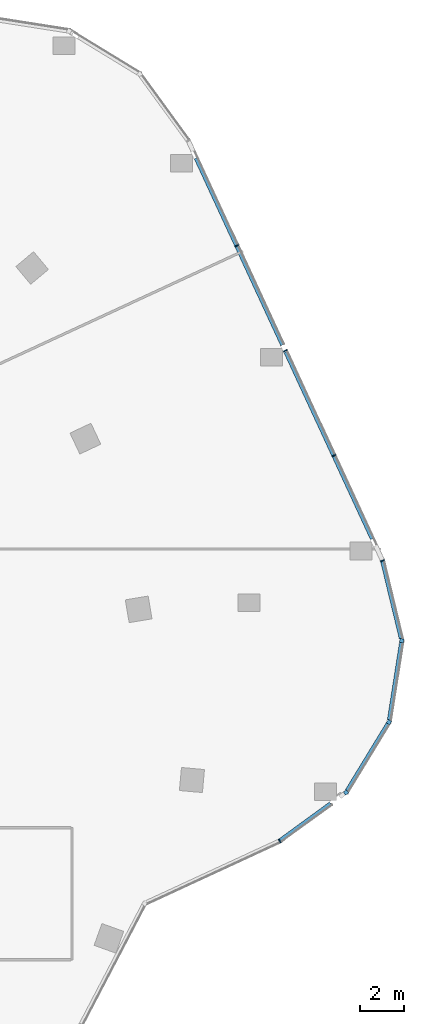
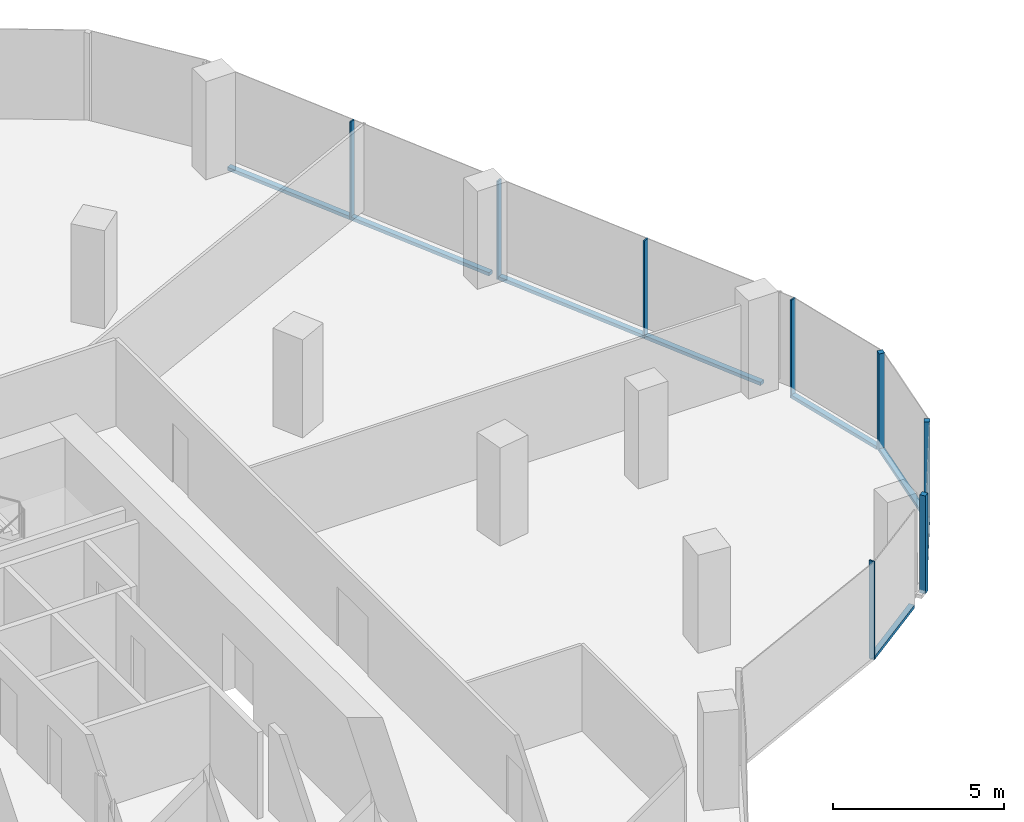
# One storey, part 9 of 23: 14 members, 6 elements without a shape of their own.
"""IFC4 building model written with IfcOpenShell, lengths in metres."""

from ifc_helpers import new_model, si_unit, direction, frame, origin, origin_2d, place, context, subcontext, project, spatial, rectangle, extrude, material, material_profile, profile_set, type_object, element, aggregate, save


model = new_model("IFC4")

# Units and contexts
model_context = context("Model", 3, precision=1e-05, world=origin(), true_north=direction((0.0, 1.0)))
body_context = subcontext(model_context, "Body", "Model", "MODEL_VIEW")
ifc_project = project(units=[si_unit("LENGTHUNIT", "METRE"), si_unit("AREAUNIT", "SQUARE_METRE"), si_unit("VOLUMEUNIT", "CUBIC_METRE"), si_unit("PLANEANGLEUNIT", "RADIAN"), si_unit("MASSUNIT", "GRAM", prefix="KILO")], contexts=[model_context])

# Site, building, storey
site_placement = place(None, origin())
site = spatial("IfcSite", under=ifc_project, at=site_placement, CompositionType="ELEMENT")
building_placement = place(site_placement, origin())
building = spatial("IfcBuilding", under=site, at=building_placement, Name="Orlundy Tower", CompositionType="ELEMENT")
storey_placement = place(building_placement, frame((0.0, 0.0, 264.0)))
storey = spatial("IfcBuildingStorey", under=building, at=storey_placement, Name="L70", CompositionType="ELEMENT", Elevation=264.0)

# Curtain wall, member
ifc_material_1 = material(Name="Aluminium bronze anodised", Category="aluminium")
curtain_wall_type = type_object("IfcCurtainWallType", Name="CW1 wall", PredefinedType="NOTDEFINED", material=ifc_material_1)
curtain_wall_1_placement = place(storey_placement, origin())
curtain_wall_1 = element("IfcCurtainWall", 1, at=curtain_wall_1_placement, inside=storey, type_object=curtain_wall_type, Name="CW1 run 17", PredefinedType="NOTDEFINED")
ifc_material_2 = material(Name="Aluminium bronze anodised", Category="aluminium")
ifc_material_profile_1 = material_profile(ifc_material_2, rectangle(XDim=0.179931640625, YDim=0.179931640625, at=origin_2d()), Name="CW1 corner post 180x180")
ifc_profile_set_1 = profile_set([ifc_material_profile_1], Name="Aluminium bronze anodised")
member_type_1 = type_object("IfcMemberType", Name="CW1 corner post 180x180", PredefinedType="MULLION", material=ifc_profile_set_1)
member_1_placement = place(storey_placement, frame((41.2197265625, 3.460693359375, -0.39990234375), z_axis=(0.0, 0.0, 1.0), x_axis=(0.987896030416, -0.15511748157, 0.0)))
member_1 = element("IfcMember", 2, at=member_1_placement, type_object=member_type_1, Name="CW1 mullion 12", PredefinedType="MULLION", context=body_context, shape_type="SweptSolid", body=[
    extrude(rectangle(XDim=0.179931640625, YDim=0.179931640625, at=origin_2d()), origin(), (0.0, 0.0, 1.0), 3.5),
])

curtain_wall_2_placement = place(storey_placement, origin())
curtain_wall_2 = element("IfcCurtainWall", 3, at=curtain_wall_2_placement, inside=storey, type_object=curtain_wall_type, Name="CW1 run 18", PredefinedType="NOTDEFINED")
member_2_placement = place(storey_placement, frame((40.63916015625, -0.236572265625, -0.39990234375), z_axis=(0.0, 0.0, 1.0), x_axis=(0.85339519248, -0.521264467859, 0.0)))
member_2 = element("IfcMember", 4, at=member_2_placement, type_object=member_type_1, Name="CW1 mullion 13", PredefinedType="MULLION", context=body_context, shape_type="SweptSolid", body=[
    extrude(rectangle(XDim=0.179931640625, YDim=0.179931640625, at=origin_2d()), origin(), (0.0, 0.0, 1.0), 3.5),
])

curtain_wall_3_placement = place(storey_placement, origin())
curtain_wall_3 = element("IfcCurtainWall", 5, at=curtain_wall_3_placement, inside=storey, type_object=curtain_wall_type, Name="CW1 run 19", PredefinedType="NOTDEFINED")
member_3_placement = place(storey_placement, frame((38.6884765625, -3.43017578125, -0.39990234375), z_axis=(0.0, 0.0, 1.0), x_axis=(0.58902167687, -0.808117234179, 0.0)))
member_3 = element("IfcMember", 6, at=member_3_placement, type_object=member_type_1, Name="CW1 mullion 14", PredefinedType="MULLION", context=body_context, shape_type="SweptSolid", body=[
    extrude(rectangle(XDim=0.179931640625, YDim=0.179931640625, at=origin_2d()), origin(), (0.0, 0.0, 1.0), 3.5),
])

# Curtain wall, members
curtain_wall_4_placement = place(storey_placement, origin())
curtain_wall_4 = element("IfcCurtainWall", 7, at=curtain_wall_4_placement, inside=storey, type_object=curtain_wall_type, Name="CW1 run 15", PredefinedType="NOTDEFINED")
ifc_material_3 = material(Name="Aluminium bronze anodised", Category="aluminium")
ifc_material_profile_2 = material_profile(ifc_material_3, rectangle(XDim=0.179931640625, YDim=0.050048828125, at=origin_2d()), Name="CW1 mullion 50x180")
ifc_profile_set_2 = profile_set([ifc_material_profile_2], Name="Aluminium bronze anodised")
member_type_2 = type_object("IfcMemberType", Name="CW1 mullion 50x180", PredefinedType="MULLION", material=ifc_profile_set_2)
member_4_placement = place(storey_placement, frame((33.724365234375, 21.391357421875, -0.39990234375), z_axis=(0.0, 0.0, 1.0), x_axis=(0.907542202358, 0.419960892154, 0.0)))
member_4 = element("IfcMember", 8, at=member_4_placement, type_object=member_type_2, Name="CW1 mullion 8", PredefinedType="MULLION", context=body_context, shape_type="SweptSolid", body=[
    extrude(rectangle(XDim=0.179931640625, YDim=0.050048828125, at=origin_2d()), origin(), (0.0, 0.0, 1.0), 3.5),
])
member_5_placement = place(storey_placement, frame((35.92919921875, 16.626708984375, -0.39990234375), z_axis=(0.0, 0.0, 1.0), x_axis=(0.907542202358, 0.419960892154, 0.0)))
member_5 = element("IfcMember", 9, at=member_5_placement, type_object=member_type_2, Name="CW1 mullion 9", PredefinedType="MULLION", context=body_context, shape_type="SweptSolid", body=[
    extrude(rectangle(XDim=0.179931640625, YDim=0.050048828125, at=origin_2d()), origin(), (0.0, 0.0, 1.0), 3.5),
])
member_6_placement = place(storey_placement, frame((38.134033203125, 11.8623046875, -0.39990234375), z_axis=(0.0, 0.0, 1.0), x_axis=(0.907542202358, 0.419960892154, 0.0)))
member_6 = element("IfcMember", 10, at=member_6_placement, type_object=member_type_2, Name="CW1 mullion 10", PredefinedType="MULLION", context=body_context, shape_type="SweptSolid", body=[
    extrude(rectangle(XDim=0.179931640625, YDim=0.050048828125, at=origin_2d()), origin(), (0.0, 0.0, 1.0), 3.5),
])

# Curtain wall, member
curtain_wall_5_placement = place(storey_placement, origin())
curtain_wall_5 = element("IfcCurtainWall", 11, at=curtain_wall_5_placement, inside=storey, type_object=curtain_wall_type, Name="CW1 run 16", PredefinedType="NOTDEFINED")
member_7_placement = place(storey_placement, frame((40.34228515625, 7.08984375, -0.39990234375), z_axis=(0.0, 0.0, 1.0), x_axis=(0.944312521745, 0.329049937357, 0.0)))
member_7 = element("IfcMember", 12, at=member_7_placement, type_object=member_type_2, Name="CW1 mullion 11", PredefinedType="MULLION", context=body_context, shape_type="SweptSolid", body=[
    extrude(rectangle(XDim=0.179931640625, YDim=0.050048828125, at=origin_2d()), origin(), (0.0, 0.0, 1.0), 3.5),
])

curtain_wall_6_placement = place(storey_placement, origin())
curtain_wall_6 = element("IfcCurtainWall", 13, at=curtain_wall_6_placement, inside=storey, type_object=curtain_wall_type, Name="CW1 run 110", PredefinedType="NOTDEFINED")
member_8_placement = place(storey_placement, frame((35.671875, -5.62890625, -0.39990234375), z_axis=(0.0, 0.0, 1.0), x_axis=(0.506927615096, -0.861988626986, 0.0)))
member_8 = element("IfcMember", 14, at=member_8_placement, type_object=member_type_2, Name="CW1 mullion 15", PredefinedType="MULLION", context=body_context, shape_type="SweptSolid", body=[
    extrude(rectangle(XDim=0.179931640625, YDim=0.050048828125, at=origin_2d()), origin(), (0.0, 0.0, 1.0), 3.5),
])
aggregate(curtain_wall_6, [member_8])

# Member
ifc_material_4 = material(Name="Aluminium bronze anodised", Category="aluminium")
ifc_material_profile_3 = material_profile(ifc_material_4, rectangle(XDim=0.179931640625, YDim=0.1201171875, at=origin_2d()), Name="CW1 transom 180x120")
ifc_profile_set_3 = profile_set([ifc_material_profile_3], Name="Aluminium bronze anodised")
member_type_3 = type_object("IfcMemberType", Name="CW1 transom 180x120", PredefinedType="USERDEFINED", material=ifc_profile_set_3)
member_9_placement = place(storey_placement, frame((31.87890625, 25.37939453125, -0.340087890625), z_axis=(0.419969586538, -0.907538179022, 0.0), x_axis=(0.907538179022, 0.419969586538, 0.0)))
member_9 = element("IfcMember", 15, at=member_9_placement, type_object=member_type_3, Name="CW1 transom", ObjectType="TRANSOM", PredefinedType="USERDEFINED", context=body_context, shape_type="SweptSolid", body=[
    extrude(rectangle(XDim=0.179931640625, YDim=0.1201171875, at=origin_2d()), origin(), (0.0, 0.0, 1.0), 9.357666015625),
])

member_10_placement = place(storey_placement, frame((35.952880859375, 16.575439453125, -0.340087890625), z_axis=(0.419966384997, -0.907539660551, 0.0), x_axis=(0.907539660551, 0.419966384997, 0.0)))
member_10 = element("IfcMember", 16, at=member_10_placement, type_object=member_type_3, Name="CW1 transom", ObjectType="TRANSOM", PredefinedType="USERDEFINED", context=body_context, shape_type="SweptSolid", body=[
    extrude(rectangle(XDim=0.179931640625, YDim=0.1201171875, at=origin_2d()), origin(), (0.0, 0.0, 1.0), 9.3564453125),
])

aggregate(curtain_wall_4, [member_4, member_5, member_6, member_9, member_10])

member_11_placement = place(storey_placement, frame((40.348388671875, 7.0654296875, -0.340087890625), z_axis=(0.23494012712, -0.972009843916, 0.0), x_axis=(0.972009843916, 0.23494012712, 0.0)))
member_11 = element("IfcMember", 17, at=member_11_placement, type_object=member_type_3, Name="CW1 transom", ObjectType="TRANSOM", PredefinedType="USERDEFINED", context=body_context, shape_type="SweptSolid", body=[
    extrude(rectangle(XDim=0.179931640625, YDim=0.1201171875, at=origin_2d()), origin(), (0.0, 0.0, 1.0), 3.611083984375),
])

aggregate(curtain_wall_5, [member_7, member_11])

member_12_placement = place(storey_placement, frame((41.205810546875, 3.371826171875, -0.340087890625), z_axis=(-0.155126778463, -0.987894570591, 0.0), x_axis=(0.987894570591, -0.155126778463, 0.0)))
member_12 = element("IfcMember", 18, at=member_12_placement, type_object=member_type_3, Name="CW1 transom", ObjectType="TRANSOM", PredefinedType="USERDEFINED", context=body_context, shape_type="SweptSolid", body=[
    extrude(rectangle(XDim=0.179931640625, YDim=0.1201171875, at=origin_2d()), origin(), (0.0, 0.0, 1.0), 3.55517578125),
])

aggregate(curtain_wall_1, [member_1, member_12])

member_13_placement = place(storey_placement, frame((40.59228515625, -0.3134765625, -0.340087890625), z_axis=(-0.521266650084, -0.853393859545, 0.0), x_axis=(0.853393859545, -0.521266650084, 0.0)))
member_13 = element("IfcMember", 19, at=member_13_placement, type_object=member_type_3, Name="CW1 transom", ObjectType="TRANSOM", PredefinedType="USERDEFINED", context=body_context, shape_type="SweptSolid", body=[
    extrude(rectangle(XDim=0.179931640625, YDim=0.1201171875, at=origin_2d()), origin(), (0.0, 0.0, 1.0), 3.554931640625),
])

aggregate(curtain_wall_2, [member_2, member_13])

member_14_placement = place(storey_placement, frame((37.989013671875, -3.93994140625, -0.340087890625), z_axis=(-0.808089302915, -0.589059995683, 0.0), x_axis=(0.589059995683, -0.808089302915, 0.0)))
member_14 = element("IfcMember", 20, at=member_14_placement, type_object=member_type_3, Name="CW1 transom", ObjectType="TRANSOM", PredefinedType="USERDEFINED", context=body_context, shape_type="SweptSolid", body=[
    extrude(rectangle(XDim=0.179931640625, YDim=0.1201171875, at=origin_2d()), origin(), (0.0, 0.0, 1.0), 2.84228515625),
])

aggregate(curtain_wall_3, [member_3, member_14])

save(model, "model.ifc")
